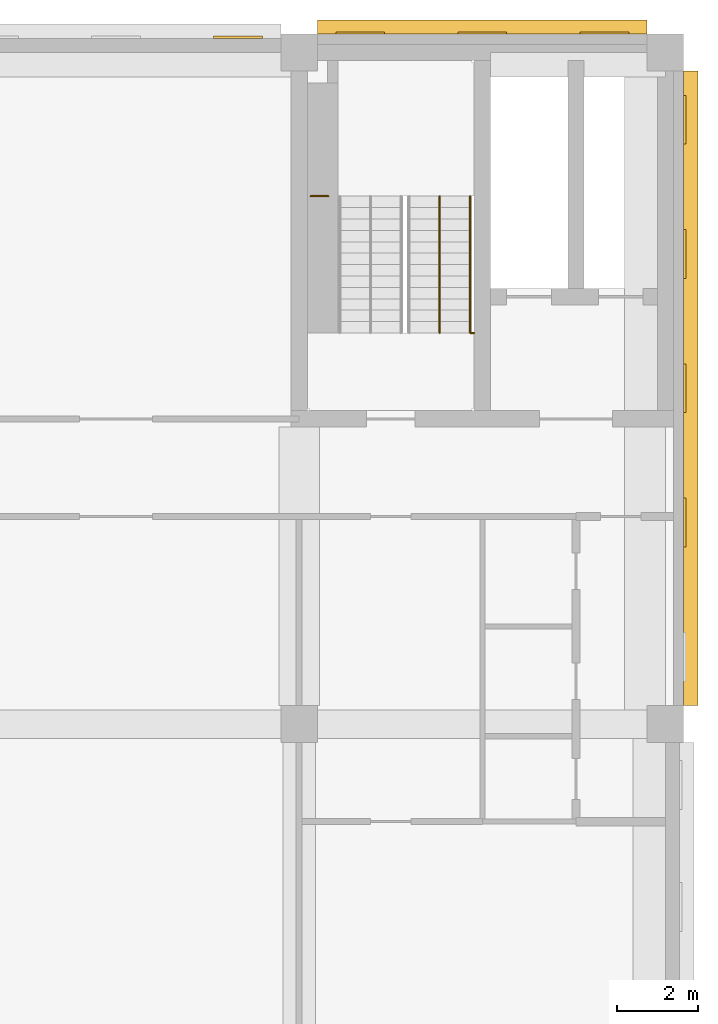
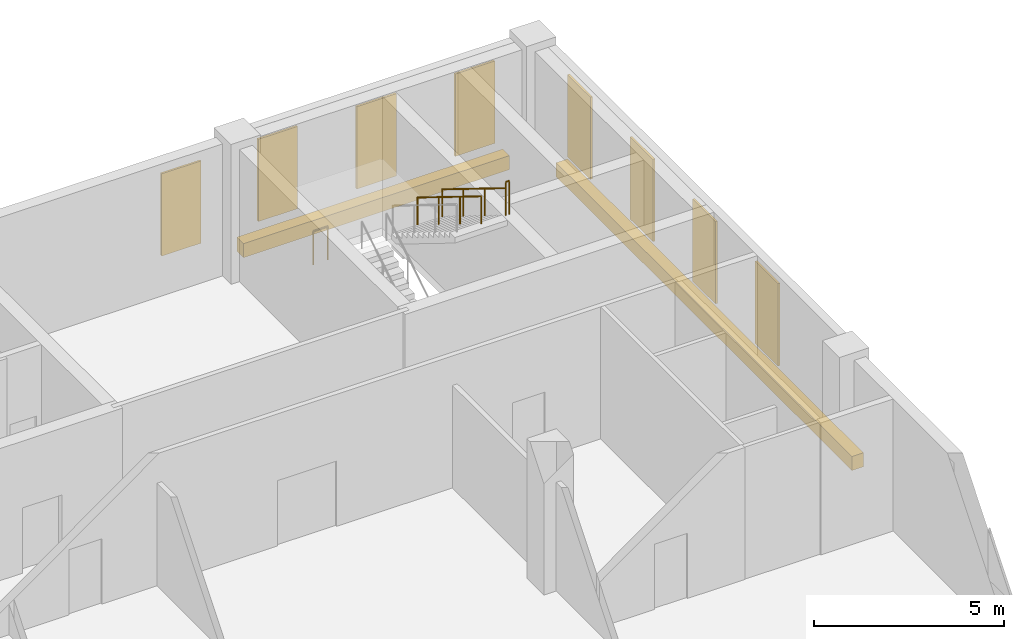
# One storey, part 5 of 5: 10 coverings, 4 railings.
"""IFC4 building model written with IfcOpenShell, lengths in metres."""

from ifc_helpers import new_model, si_unit, direction, frame, origin, origin_2d, place, context, subcontext, project, spatial, rectangle, circle, extrude, material, layer, layer_set, type_object, element, save


model = new_model("IFC4")

# Units and contexts
model_context = context("Model", 3, precision=1e-05, world=origin(), true_north=direction((0.0, 1.0)))
body_context = subcontext(model_context, "Body", "Model", "MODEL_VIEW")
ifc_project = project(units=[si_unit("LENGTHUNIT", "METRE"), si_unit("AREAUNIT", "SQUARE_METRE"), si_unit("VOLUMEUNIT", "CUBIC_METRE"), si_unit("PLANEANGLEUNIT", "RADIAN"), si_unit("MASSUNIT", "GRAM", prefix="KILO")], contexts=[model_context])

# Site, building, storey
site_placement = place(None, origin())
site = spatial("IfcSite", under=ifc_project, at=site_placement, CompositionType="ELEMENT")
building_placement = place(site_placement, origin())
building = spatial("IfcBuilding", under=site, at=building_placement, Name="Aurelan Courthouse", CompositionType="ELEMENT")
storey_placement = place(building_placement, frame((0.0, 0.0, 53.39990234375)))
storey = spatial("IfcBuildingStorey", under=building, at=storey_placement, Name="L10", CompositionType="ELEMENT", Elevation=53.39990234375)

# Coverings
ifc_material_1 = material(Name="Bronze sheet cladding")
ifc_layer = layer(ifc_material_1, 0.06005859375)
ifc_layer_set = layer_set([ifc_layer], Name="Bronze sheet cladding")
covering_type_1 = type_object("IfcCoveringType", Name="Courts' Floors blind bay 1200 x 2650", PredefinedType="CLADDING", material=ifc_layer_set)
for number, where, z_axis, x_axis, name in (
    (1, (16.5, 28.8798828125, 1.000244140625), (0.0, 0.0, 1.0), (1.0, 0.0, 0.0), "Blind bay BB-V5-L10-015"),
    (2, (19.5, 28.97998046875, 1.000244140625), (0.0, 0.0, 1.0), (1.0, 0.0, 0.0), "Blind bay BB-V5-L10-016"),
    (3, (22.5, 28.97998046875, 1.000244140625), (0.0, 0.0, 1.0), (1.0, 0.0, 0.0), "Blind bay BB-V5-L10-017"),
    (4, (25.5, 28.97998046875, 1.000244140625), (0.0, 0.0, 1.0), (1.0, 0.0, 0.0), "Blind bay BB-V5-L10-018"),
):
    element("IfcCovering", number, at=place(storey_placement, frame(where, z_axis=z_axis, x_axis=x_axis)), inside=storey, type_object=covering_type_1, Name=name, PredefinedType="CLADDING", context=body_context, shape_type="SweptSolid", body=[
        extrude(rectangle(XDim=1.199951171875, YDim=0.06005859375, at=origin_2d()), origin(), (0.0, 0.0, 1.0), 2.64990234375),
    ])
for number, where, z_axis, x_axis, name in (
    (5, (27.47998046875, 16.949951171875, 1.000244140625), (0.0, 0.0, 1.0), (1.0, 0.0, 0.0), "Blind bay BB-V5-L10-024"),
    (6, (27.47998046875, 20.25, 1.000244140625), (0.0, 0.0, 1.0), (1.0, 0.0, 0.0), "Blind bay BB-V5-L10-025"),
    (7, (27.47998046875, 23.550048828125, 1.000244140625), (0.0, 0.0, 1.0), (1.0, 0.0, 0.0), "Blind bay BB-V5-L10-026"),
    (8, (27.47998046875, 26.85009765625, 1.000244140625), (0.0, 0.0, 1.0), (1.0, 0.0, 0.0), "Blind bay BB-V5-L10-027"),
):
    element("IfcCovering", number, at=place(storey_placement, frame(where, z_axis=z_axis, x_axis=x_axis)), inside=storey, type_object=covering_type_1, Name=name, PredefinedType="CLADDING", context=body_context, shape_type="SweptSolid", body=[
        extrude(rectangle(XDim=0.06005859375, YDim=1.199951171875, at=origin_2d()), origin(), (0.0, 0.0, 1.0), 2.64990234375),
    ])
ifc_material_2 = material(Name="Limestone cladding", Category="masonry")
covering_type_2 = type_object("IfcCoveringType", Name="Courts' Floors string course 450 x 350", PredefinedType="CLADDING", material=ifc_material_2)
covering_1_placement = place(storey_placement, frame((27.625, 20.25, 0.0), z_axis=(0.0, 0.0, 1.0), x_axis=(1.0, 0.0, 0.0)))
element("IfcCovering", 9, at=covering_1_placement, inside=storey, type_object=covering_type_2, Name="String course SC-V5-031", PredefinedType="CLADDING", context=body_context, shape_type="SweptSolid", body=[
    extrude(rectangle(XDim=0.35009765625, YDim=15.60009765625, at=origin_2d()), origin(), (0.0, 0.0, 1.0), 0.449951171875),
])
covering_2_placement = place(storey_placement, frame((22.5, 29.125, 0.0), z_axis=(0.0, 0.0, 1.0), x_axis=(1.0, 0.0, 0.0)))
element("IfcCovering", 10, at=covering_2_placement, inside=storey, type_object=covering_type_2, Name="String course SC-V5-034", PredefinedType="CLADDING", context=body_context, shape_type="SweptSolid", body=[
    extrude(rectangle(XDim=8.10009765625, YDim=0.35009765625, at=origin_2d()), origin(), (0.0, 0.0, 1.0), 0.449951171875),
])

# Railings
ifc_material_3 = material(Name="Steel S355", Category="steel")
railing_type_1 = type_object("IfcRailingType", Name="Stair guard 1100", PredefinedType="GUARDRAIL", material=ifc_material_3)
railing_1_placement = place(storey_placement, frame((22.199951171875, 21.610107421875, 4.5)))
element("IfcRailing", 11, at=railing_1_placement, inside=storey, type_object=railing_type_1, Name="Guard ST-5A-L10-H5-C", PredefinedType="GUARDRAIL", context=body_context, shape_type="SweptSolid", body=[
    extrude(circle(Radius=0.02392578125, at=origin_2d()), frame((0.0, 0.0, 1.076171875), z_axis=(1.0, 0.0, 0.0), x_axis=(0.0, 1.0, 0.0)), (0.0, 0.0, 1.0), 0.10009765625),
    extrude(circle(Radius=0.02099609375, at=origin_2d()), origin(), (0.0, 0.0, 1.0), 1.052001953125),
    extrude(circle(Radius=0.02099609375, at=origin_2d()), frame((0.10009765625, 0.0, 0.0)), (0.0, 0.0, 1.0), 1.052001953125),
])
railing_2_placement = place(storey_placement, frame((18.719970703125, 24.969970703125, 2.25)))
element("IfcRailing", 12, at=railing_2_placement, inside=storey, type_object=railing_type_1, Name="Guard ST-5A-L10-GL1", PredefinedType="GUARDRAIL", context=body_context, shape_type="SweptSolid", body=[
    extrude(circle(Radius=0.02392578125, at=origin_2d()), frame((0.0, 0.0, 1.076171875), z_axis=(-1.0, 0.0, 0.0), x_axis=(0.0, -1.0, 0.0)), (0.0, 0.0, 1.0), 0.43994140625),
    extrude(circle(Radius=0.02099609375, at=origin_2d()), origin(), (0.0, 0.0, 1.0), 1.052001953125),
    extrude(circle(Radius=0.02099609375, at=origin_2d()), frame((-0.43994140625, 0.0, 0.0)), (0.0, 0.0, 1.0), 1.052001953125),
])
railing_type_2 = type_object("IfcRailingType", Name="Stair handrail 900", PredefinedType="HANDRAIL", material=ifc_material_3)
for number, where, name in (
    (13, (22.199951171875, 24.969970703125, 2.423095703125), "Handrail ST-5A-L10-H5"),
    (14, (21.449951171875, 24.969970703125, 2.423095703125), "Handrail ST-5A-L10-H6"),
):
    element("IfcRailing", number, at=place(storey_placement, frame(where)), inside=storey, type_object=railing_type_2, Name=name, PredefinedType="HANDRAIL", context=body_context, shape_type="SweptSolid", body=[
        extrude(circle(Radius=0.02392578125, at=origin_2d()), frame((0.0, 0.0, 0.8759765625), z_axis=(0.0, -0.850606129759, 0.525803396734), x_axis=(1.0, 0.0, 0.0)), (0.0, 0.0, 1.0), 3.949951171875),
        extrude(circle(Radius=0.02099609375, at=origin_2d()), origin(), (0.0, 0.0, 1.0), 0.851806640625),
        extrude(circle(Radius=0.02099609375, at=origin_2d()), frame((0.0, -1.119873046875, 0.6923828125)), (0.0, 0.0, 1.0), 0.851806640625),
        extrude(circle(Radius=0.02099609375, at=origin_2d()), frame((0.0, -2.239990234375, 1.384521484375)), (0.0, 0.0, 1.0), 0.851806640625),
        extrude(circle(Radius=0.02099609375, at=origin_2d()), frame((0.0, -3.35986328125, 2.076904296875)), (0.0, 0.0, 1.0), 0.851806640625),
    ])

save(model, "model.ifc")
